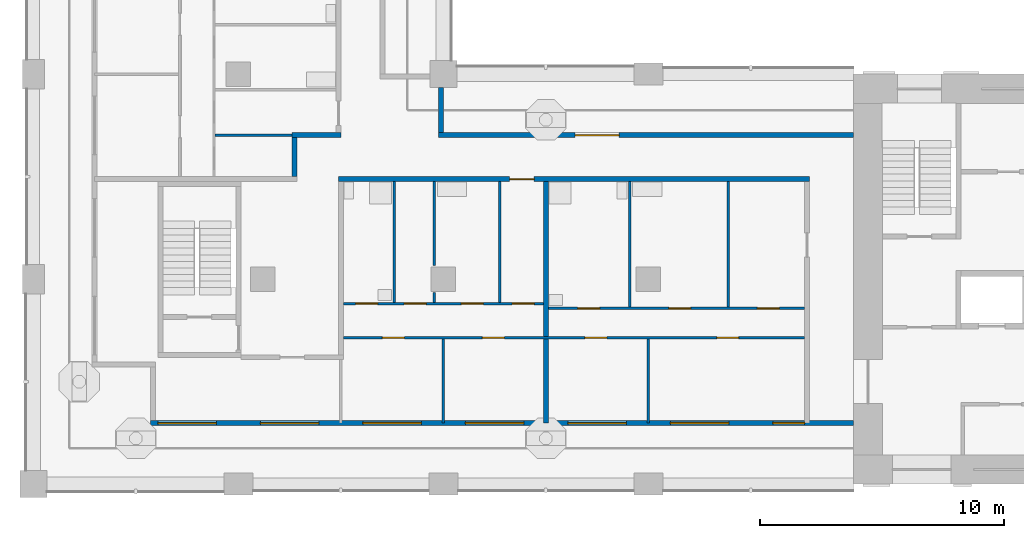
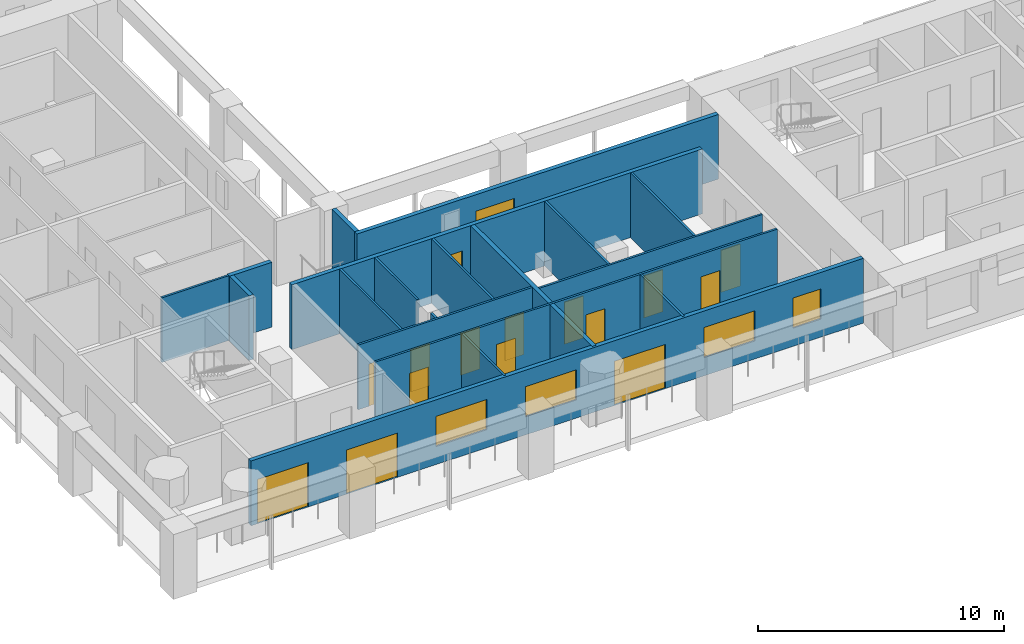
# One storey, part 2 of 13: 19 walls, 16 doors, 4 windows, 20 openings.
"""IFC4 building model written with IfcOpenShell, lengths in metres."""

from ifc_helpers import new_model, si_unit, direction, frame, frame_2d, origin, place, context, subcontext, project, spatial, rectangle, extrude, material, layer, layer_set, type_object, element, fill, save


model = new_model("IFC4")

# Units and contexts
model_context = context("Model", 3, precision=1e-05, world=origin(), true_north=direction((0.0, 1.0)))
body_context = subcontext(model_context, "Body", "Model", "MODEL_VIEW")
ifc_project = project(units=[si_unit("LENGTHUNIT", "METRE"), si_unit("AREAUNIT", "SQUARE_METRE"), si_unit("VOLUMEUNIT", "CUBIC_METRE"), si_unit("PLANEANGLEUNIT", "RADIAN"), si_unit("MASSUNIT", "GRAM", prefix="KILO")], contexts=[model_context])

# Site, building, storey
site_placement = place(None, origin())
site = spatial("IfcSite", under=ifc_project, at=site_placement, CompositionType="ELEMENT")
building_placement = place(site_placement, origin())
building = spatial("IfcBuilding", under=site, at=building_placement, Name="Vermilion Gate Residences", CompositionType="ELEMENT")
storey_placement = place(building_placement, frame((0.0, 0.0, 186.199951171875)))
storey = spatial("IfcBuildingStorey", under=building, at=storey_placement, Name="L48", CompositionType="ELEMENT", Elevation=186.199951171875)

# Wall, openings, doors, windows
ifc_material_1 = material(Name="Insulated steel stud wall with terracotta rainscreen", Category="masonry")
ifc_layer_1 = layer(ifc_material_1, 0.199951171875)
ifc_layer_set_1 = layer_set([ifc_layer_1], Name="EXTERNAL WALL 200 TERRACOTTA RAINSCREEN")
wall_type_1 = type_object("IfcWallType", Name="EXTERNAL WALL 200 TERRACOTTA RAINSCREEN", PredefinedType="SOLIDWALL", material=ifc_layer_set_1)
wall_1_placement = place(storey_placement, frame((13.199951171875, 10.89990234375, 0.0), z_axis=(0.0, 0.0, 1.0), x_axis=(1.0, 0.0, 0.0)))
wall_1 = element("IfcWall", 1, at=wall_1_placement, inside=storey, type_object=wall_type_1, Name="External wall", PredefinedType="SOLIDWALL", context=body_context, shape_type="SweptSolid", body=[
    extrude(rectangle(XDim=28.800048828125, YDim=0.199951171875, at=frame_2d((14.39990234375, 0.0))), origin(), (0.0, 0.0, 1.0), 3.219970703125),
])
opening_1_placement = place(wall_1_placement, frame((0.300048828125, 0.0, 0.0)))
opening_1 = element("IfcOpeningElement", 2, at=opening_1_placement, cuts=wall_1, Name="Opening DE48008", PredefinedType="OPENING", context=body_context, shape_type="SweptSolid", body=[
    extrude(rectangle(XDim=2.39990234375, YDim=2.199951171875, at=frame_2d((1.199951171875, 1.10009765625))), frame((0.0, 0.10986328125, 0.0), z_axis=(0.0, -1.0, 0.0), x_axis=(1.0, 0.0, 0.0)), (0.0, 0.0, 1.0), 0.219970703125),
])
opening_2_placement = place(wall_1_placement, frame((4.5, 0.0, 0.0)))
opening_2 = element("IfcOpeningElement", 3, at=opening_2_placement, cuts=wall_1, Name="Opening DE48009", PredefinedType="OPENING", context=body_context, shape_type="SweptSolid", body=[
    extrude(rectangle(XDim=2.39990234375, YDim=2.199951171875, at=frame_2d((1.199951171875, 1.10009765625))), frame((0.0, 0.10986328125, 0.0), z_axis=(0.0, -1.0, 0.0), x_axis=(1.0, 0.0, 0.0)), (0.0, 0.0, 1.0), 0.219970703125),
])
opening_3_placement = place(wall_1_placement, frame((8.699951171875, 0.0, 0.89990234375)))
opening_3 = element("IfcOpeningElement", 4, at=opening_3_placement, cuts=wall_1, Name="Opening WE48010", PredefinedType="OPENING", context=body_context, shape_type="SweptSolid", body=[
    extrude(rectangle(XDim=2.39990234375, YDim=1.5, at=frame_2d((1.199951171875, 0.75))), frame((0.0, 0.10986328125, 0.0), z_axis=(0.0, -1.0, 0.0), x_axis=(1.0, 0.0, 0.0)), (0.0, 0.0, 1.0), 0.219970703125),
])
opening_4_placement = place(wall_1_placement, frame((12.89990234375, 0.0, 0.89990234375)))
opening_4 = element("IfcOpeningElement", 5, at=opening_4_placement, cuts=wall_1, Name="Opening WE48011", PredefinedType="OPENING", context=body_context, shape_type="SweptSolid", body=[
    extrude(rectangle(XDim=2.39990234375, YDim=1.5, at=frame_2d((1.199951171875, 0.75))), frame((0.0, 0.10986328125, 0.0), z_axis=(0.0, -1.0, 0.0), x_axis=(1.0, 0.0, 0.0)), (0.0, 0.0, 1.0), 0.219970703125),
])
opening_5_placement = place(wall_1_placement, frame((17.10009765625, 0.0, 0.0)))
opening_5 = element("IfcOpeningElement", 6, at=opening_5_placement, cuts=wall_1, Name="Opening DE48012", PredefinedType="OPENING", context=body_context, shape_type="SweptSolid", body=[
    extrude(rectangle(XDim=2.39990234375, YDim=2.199951171875, at=frame_2d((1.199951171875, 1.10009765625))), frame((0.0, 0.10986328125, 0.0), z_axis=(0.0, -1.0, 0.0), x_axis=(1.0, 0.0, 0.0)), (0.0, 0.0, 1.0), 0.219970703125),
])
opening_6_placement = place(wall_1_placement, frame((21.300048828125, 0.0, 0.89990234375)))
opening_6 = element("IfcOpeningElement", 7, at=opening_6_placement, cuts=wall_1, Name="Opening WE48013", PredefinedType="OPENING", context=body_context, shape_type="SweptSolid", body=[
    extrude(rectangle(XDim=2.39990234375, YDim=1.5, at=frame_2d((1.199951171875, 0.75))), frame((0.0, 0.10986328125, 0.0), z_axis=(0.0, -1.0, 0.0), x_axis=(1.0, 0.0, 0.0)), (0.0, 0.0, 1.0), 0.219970703125),
])
opening_7_placement = place(wall_1_placement, frame((25.5, 0.0, 0.89990234375)))
opening_7 = element("IfcOpeningElement", 8, at=opening_7_placement, cuts=wall_1, Name="Opening WE48014", PredefinedType="OPENING", context=body_context, shape_type="SweptSolid", body=[
    extrude(rectangle(XDim=1.300048828125, YDim=1.5, at=frame_2d((0.64990234375, 0.75))), frame((0.0, 0.10986328125, 0.0), z_axis=(0.0, -1.0, 0.0), x_axis=(1.0, 0.0, 0.0)), (0.0, 0.0, 1.0), 0.219970703125),
])
ifc_material_2 = material(Name="Aluminium and clear glass", Category="aluminium")
door_type_1 = type_object("IfcDoorType", Name="SLIDING GLAZED DOOR 2400 X 2200", OperationType="DOUBLE_DOOR_SLIDING", PredefinedType="DOOR", material=ifc_material_2)
door_1_placement = place(opening_1_placement, origin())
door_1 = element("IfcDoor", 9, at=door_1_placement, inside=storey, type_object=door_type_1, Name="Loggia sliding door", OperationType="DOUBLE_DOOR_SLIDING", OverallHeight=2.199951171875, OverallWidth=2.39990234375, PredefinedType="DOOR", context=body_context, shape_type="SweptSolid", body=[
    extrude(rectangle(XDim=2.39990234375, YDim=2.199951171875, at=frame_2d((1.199951171875, 1.10009765625))), frame((0.0, 0.02490234375, 0.0), z_axis=(0.0, -1.0, 0.0), x_axis=(1.0, 0.0, 0.0)), (0.0, 0.0, 1.0), 0.050048828125),
])
fill(opening_1, door_1)
door_2_placement = place(opening_2_placement, origin())
door_2 = element("IfcDoor", 10, at=door_2_placement, inside=storey, type_object=door_type_1, Name="Loggia sliding door", OperationType="DOUBLE_DOOR_SLIDING", OverallHeight=2.199951171875, OverallWidth=2.39990234375, PredefinedType="DOOR", context=body_context, shape_type="SweptSolid", body=[
    extrude(rectangle(XDim=2.39990234375, YDim=2.199951171875, at=frame_2d((1.199951171875, 1.10009765625))), frame((0.0, 0.02490234375, 0.0), z_axis=(0.0, -1.0, 0.0), x_axis=(1.0, 0.0, 0.0)), (0.0, 0.0, 1.0), 0.050048828125),
])
fill(opening_2, door_2)
door_3_placement = place(opening_5_placement, origin())
door_3 = element("IfcDoor", 11, at=door_3_placement, inside=storey, type_object=door_type_1, Name="Loggia sliding door", OperationType="DOUBLE_DOOR_SLIDING", OverallHeight=2.199951171875, OverallWidth=2.39990234375, PredefinedType="DOOR", context=body_context, shape_type="SweptSolid", body=[
    extrude(rectangle(XDim=2.39990234375, YDim=2.199951171875, at=frame_2d((1.199951171875, 1.10009765625))), frame((0.0, 0.02490234375, 0.0), z_axis=(0.0, -1.0, 0.0), x_axis=(1.0, 0.0, 0.0)), (0.0, 0.0, 1.0), 0.050048828125),
])
fill(opening_5, door_3)
ifc_material_3 = material(Name="Aluminium and clear glass", Category="aluminium")
window_type_1 = type_object("IfcWindowType", Name="WINDOW 1300 X 1500", PartitioningType="SINGLE_PANEL", PredefinedType="WINDOW", material=ifc_material_3)
window_1_placement = place(opening_7_placement, origin())
window_1 = element("IfcWindow", 12, at=window_1_placement, inside=storey, type_object=window_type_1, Name="Window", OverallHeight=1.5, OverallWidth=1.300048828125, PartitioningType="SINGLE_PANEL", PredefinedType="WINDOW", context=body_context, shape_type="SweptSolid", body=[
    extrude(rectangle(XDim=1.300048828125, YDim=1.5, at=frame_2d((0.64990234375, 0.75))), frame((0.0, 0.030029296875, 0.0), z_axis=(0.0, -1.0, 0.0), x_axis=(1.0, 0.0, 0.0)), (0.0, 0.0, 1.0), 0.06005859375),
])
fill(opening_7, window_1)
ifc_material_4 = material(Name="Aluminium and clear glass", Category="aluminium")
window_type_2 = type_object("IfcWindowType", Name="WINDOW 2400 X 1500", PartitioningType="SINGLE_PANEL", PredefinedType="WINDOW", material=ifc_material_4)
window_2_placement = place(opening_3_placement, origin())
window_2 = element("IfcWindow", 13, at=window_2_placement, inside=storey, type_object=window_type_2, Name="Window", OverallHeight=1.5, OverallWidth=2.39990234375, PartitioningType="SINGLE_PANEL", PredefinedType="WINDOW", context=body_context, shape_type="SweptSolid", body=[
    extrude(rectangle(XDim=2.39990234375, YDim=1.5, at=frame_2d((1.199951171875, 0.75))), frame((0.0, 0.030029296875, 0.0), z_axis=(0.0, -1.0, 0.0), x_axis=(1.0, 0.0, 0.0)), (0.0, 0.0, 1.0), 0.06005859375),
])
fill(opening_3, window_2)
window_3_placement = place(opening_4_placement, origin())
window_3 = element("IfcWindow", 14, at=window_3_placement, inside=storey, type_object=window_type_2, Name="Window", OverallHeight=1.5, OverallWidth=2.39990234375, PartitioningType="SINGLE_PANEL", PredefinedType="WINDOW", context=body_context, shape_type="SweptSolid", body=[
    extrude(rectangle(XDim=2.39990234375, YDim=1.5, at=frame_2d((1.199951171875, 0.75))), frame((0.0, 0.030029296875, 0.0), z_axis=(0.0, -1.0, 0.0), x_axis=(1.0, 0.0, 0.0)), (0.0, 0.0, 1.0), 0.06005859375),
])
fill(opening_4, window_3)
window_4_placement = place(opening_6_placement, origin())
window_4 = element("IfcWindow", 15, at=window_4_placement, inside=storey, type_object=window_type_2, Name="Window", OverallHeight=1.5, OverallWidth=2.39990234375, PartitioningType="SINGLE_PANEL", PredefinedType="WINDOW", context=body_context, shape_type="SweptSolid", body=[
    extrude(rectangle(XDim=2.39990234375, YDim=1.5, at=frame_2d((1.199951171875, 0.75))), frame((0.0, 0.030029296875, 0.0), z_axis=(0.0, -1.0, 0.0), x_axis=(1.0, 0.0, 0.0)), (0.0, 0.0, 1.0), 0.06005859375),
])
fill(opening_6, window_4)

# Wall, opening, door
wall_2_placement = place(storey_placement, frame((42.0, 22.699951171875, 0.0), z_axis=(0.0, 0.0, 1.0), x_axis=(-1.0, 0.0, 0.0)))
wall_2 = element("IfcWall", 16, at=wall_2_placement, inside=storey, type_object=wall_type_1, Name="External wall", PredefinedType="SOLIDWALL", context=body_context, shape_type="SweptSolid", body=[
    extrude(rectangle(XDim=17.0, YDim=0.199951171875, at=frame_2d((8.5, 0.0))), origin(), (0.0, 0.0, 1.0), 3.219970703125),
])
opening_8_placement = place(wall_2_placement, frame((9.60009765625, 0.0, 0.0)))
opening_8 = element("IfcOpeningElement", 17, at=opening_8_placement, cuts=wall_2, Name="Opening DE48020", PredefinedType="OPENING", context=body_context, shape_type="SweptSolid", body=[
    extrude(rectangle(XDim=1.800048828125, YDim=2.39990234375, at=frame_2d((0.89990234375, 1.199951171875))), frame((0.0, 0.10986328125, 0.0), z_axis=(0.0, -1.0, 0.0), x_axis=(1.0, 0.0, 0.0)), (0.0, 0.0, 1.0), 0.219970703125),
])
ifc_material_5 = material(Name="Aluminium and clear glass", Category="aluminium")
door_type_2 = type_object("IfcDoorType", Name="GLAZED EXTERNAL DOOR 1800 X 2400", OperationType="DOUBLE_DOOR_SINGLE_SWING", PredefinedType="DOOR", material=ifc_material_5)
door_4_placement = place(opening_8_placement, frame((1.800048828125, 0.0, 0.0), z_axis=(0.0, 0.0, 1.0), x_axis=(-1.0, 0.0, 0.0)))
door_4 = element("IfcDoor", 18, at=door_4_placement, inside=storey, type_object=door_type_2, Name="Gallery door", OperationType="DOUBLE_DOOR_SINGLE_SWING", OverallHeight=2.39990234375, OverallWidth=1.800048828125, PredefinedType="DOOR", context=body_context, shape_type="SweptSolid", body=[
    extrude(rectangle(XDim=1.800048828125, YDim=2.39990234375, at=frame_2d((0.89990234375, 1.199951171875))), frame((0.0, 0.02490234375, 0.0), z_axis=(0.0, -1.0, 0.0), x_axis=(1.0, 0.0, 0.0)), (0.0, 0.0, 1.0), 0.050048828125),
])
fill(opening_8, door_4)

# Wall
wall_3_placement = place(storey_placement, frame((25.10009765625, 22.800048828125, 0.0), z_axis=(0.0, 0.0, 1.0), x_axis=(0.0, 1.0, 0.0)))
element("IfcWall", 19, at=wall_3_placement, inside=storey, type_object=wall_type_1, Name="External wall", PredefinedType="SOLIDWALL", context=body_context, shape_type="SweptSolid", body=[
    extrude(rectangle(XDim=1.849853515625, YDim=0.199951171875, at=frame_2d((0.9248046875, 0.0))), origin(), (0.0, 0.0, 1.0), 3.219970703125),
])

# Wall, openings, doors
ifc_material_6 = material(Name="Plasterboard on steel studs", Category="steel")
ifc_layer_2 = layer(ifc_material_6, 0.10009765625)
ifc_layer_set_2 = layer_set([ifc_layer_2], Name="PARTITION 100")
wall_type_2 = type_object("IfcWallType", Name="PARTITION 100", PredefinedType="PARTITIONING", material=ifc_layer_set_2)
wall_4_placement = place(storey_placement, frame((21.10009765625, 14.39990234375, 0.0), z_axis=(0.0, 0.0, 1.0), x_axis=(1.0, 0.0, 0.0)))
wall_4 = element("IfcWall", 20, at=wall_4_placement, inside=storey, type_object=wall_type_2, Name="Partition", PredefinedType="PARTITIONING", context=body_context, shape_type="SweptSolid", body=[
    extrude(rectangle(XDim=18.89990234375, YDim=0.10009765625, at=frame_2d((9.449951171875, 0.0))), origin(), (0.0, 0.0, 1.0), 3.219970703125),
])
opening_9_placement = place(wall_4_placement, frame((1.60009765625, 0.0, 0.0)))
opening_9 = element("IfcOpeningElement", 21, at=opening_9_placement, cuts=wall_4, Name="Opening DA46002", PredefinedType="OPENING", context=body_context, shape_type="SweptSolid", body=[
    extrude(rectangle(XDim=0.89990234375, YDim=2.10009765625, at=frame_2d((0.449951171875, 1.050048828125))), frame((0.0, 0.06005859375, 0.0), z_axis=(0.0, -1.0, 0.0), x_axis=(1.0, 0.0, 0.0)), (0.0, 0.0, 1.0), 0.1201171875),
])
opening_10_placement = place(wall_4_placement, frame((5.699951171875, 0.0, 0.0)))
opening_10 = element("IfcOpeningElement", 22, at=opening_10_placement, cuts=wall_4, Name="Opening DA46003", PredefinedType="OPENING", context=body_context, shape_type="SweptSolid", body=[
    extrude(rectangle(XDim=0.89990234375, YDim=2.10009765625, at=frame_2d((0.449951171875, 1.050048828125))), frame((0.0, 0.06005859375, 0.0), z_axis=(0.0, -1.0, 0.0), x_axis=(1.0, 0.0, 0.0)), (0.0, 0.0, 1.0), 0.1201171875),
])
opening_11_placement = place(wall_4_placement, frame((9.89990234375, 0.0, 0.0)))
opening_11 = element("IfcOpeningElement", 23, at=opening_11_placement, cuts=wall_4, Name="Opening DA46004", PredefinedType="OPENING", context=body_context, shape_type="SweptSolid", body=[
    extrude(rectangle(XDim=0.89990234375, YDim=2.10009765625, at=frame_2d((0.449951171875, 1.050048828125))), frame((0.0, 0.06005859375, 0.0), z_axis=(0.0, -1.0, 0.0), x_axis=(1.0, 0.0, 0.0)), (0.0, 0.0, 1.0), 0.1201171875),
])
opening_12_placement = place(wall_4_placement, frame((15.300048828125, 0.0, 0.0)))
opening_12 = element("IfcOpeningElement", 24, at=opening_12_placement, cuts=wall_4, Name="Opening DA46005", PredefinedType="OPENING", context=body_context, shape_type="SweptSolid", body=[
    extrude(rectangle(XDim=0.89990234375, YDim=2.10009765625, at=frame_2d((0.449951171875, 1.050048828125))), frame((0.0, 0.06005859375, 0.0), z_axis=(0.0, -1.0, 0.0), x_axis=(1.0, 0.0, 0.0)), (0.0, 0.0, 1.0), 0.1201171875),
])
ifc_material_7 = material(Name="Timber", Category="wood")
door_type_3 = type_object("IfcDoorType", Name="INTERIOR DOOR 900 X 2100", OperationType="SINGLE_SWING_LEFT", PredefinedType="DOOR", material=ifc_material_7)
door_5_placement = place(opening_9_placement, frame((0.89990234375, 0.0, 0.0), z_axis=(0.0, 0.0, 1.0), x_axis=(-1.0, 0.0, 0.0)))
door_5 = element("IfcDoor", 25, at=door_5_placement, inside=storey, type_object=door_type_3, Name="Interior door", OperationType="SINGLE_SWING_LEFT", OverallHeight=2.10009765625, OverallWidth=0.89990234375, PredefinedType="DOOR", context=body_context, shape_type="SweptSolid", body=[
    extrude(rectangle(XDim=0.89990234375, YDim=2.10009765625, at=frame_2d((0.449951171875, 1.050048828125))), frame((0.0, 0.02490234375, 0.0), z_axis=(0.0, -1.0, 0.0), x_axis=(1.0, 0.0, 0.0)), (0.0, 0.0, 1.0), 0.050048828125),
])
fill(opening_9, door_5)
door_6_placement = place(opening_10_placement, frame((0.89990234375, 0.0, 0.0), z_axis=(0.0, 0.0, 1.0), x_axis=(-1.0, 0.0, 0.0)))
door_6 = element("IfcDoor", 26, at=door_6_placement, inside=storey, type_object=door_type_3, Name="Interior door", OperationType="SINGLE_SWING_RIGHT", OverallHeight=2.10009765625, OverallWidth=0.89990234375, PredefinedType="DOOR", context=body_context, shape_type="SweptSolid", body=[
    extrude(rectangle(XDim=0.89990234375, YDim=2.10009765625, at=frame_2d((0.449951171875, 1.050048828125))), frame((0.0, 0.02490234375, 0.0), z_axis=(0.0, -1.0, 0.0), x_axis=(1.0, 0.0, 0.0)), (0.0, 0.0, 1.0), 0.050048828125),
])
fill(opening_10, door_6)
door_7_placement = place(opening_11_placement, frame((0.89990234375, 0.0, 0.0), z_axis=(0.0, 0.0, 1.0), x_axis=(-1.0, 0.0, 0.0)))
door_7 = element("IfcDoor", 27, at=door_7_placement, inside=storey, type_object=door_type_3, Name="Interior door", OperationType="SINGLE_SWING_RIGHT", OverallHeight=2.10009765625, OverallWidth=0.89990234375, PredefinedType="DOOR", context=body_context, shape_type="SweptSolid", body=[
    extrude(rectangle(XDim=0.89990234375, YDim=2.10009765625, at=frame_2d((0.449951171875, 1.050048828125))), frame((0.0, 0.02490234375, 0.0), z_axis=(0.0, -1.0, 0.0), x_axis=(1.0, 0.0, 0.0)), (0.0, 0.0, 1.0), 0.050048828125),
])
fill(opening_11, door_7)
door_8_placement = place(opening_12_placement, frame((0.89990234375, 0.0, 0.0), z_axis=(0.0, 0.0, 1.0), x_axis=(-1.0, 0.0, 0.0)))
door_8 = element("IfcDoor", 28, at=door_8_placement, inside=storey, type_object=door_type_3, Name="Interior door", OperationType="SINGLE_SWING_LEFT", OverallHeight=2.10009765625, OverallWidth=0.89990234375, PredefinedType="DOOR", context=body_context, shape_type="SweptSolid", body=[
    extrude(rectangle(XDim=0.89990234375, YDim=2.10009765625, at=frame_2d((0.449951171875, 1.050048828125))), frame((0.0, 0.02490234375, 0.0), z_axis=(0.0, -1.0, 0.0), x_axis=(1.0, 0.0, 0.0)), (0.0, 0.0, 1.0), 0.050048828125),
])
fill(opening_12, door_8)

wall_5_placement = place(storey_placement, frame((29.5, 15.60009765625, 0.0), z_axis=(0.0, 0.0, 1.0), x_axis=(1.0, 0.0, 0.0)))
wall_5 = element("IfcWall", 29, at=wall_5_placement, inside=storey, type_object=wall_type_2, Name="Partition", PredefinedType="PARTITIONING", context=body_context, shape_type="SweptSolid", body=[
    extrude(rectangle(XDim=10.5, YDim=0.10009765625, at=frame_2d((5.25, 0.0))), origin(), (0.0, 0.0, 1.0), 3.219970703125),
])
opening_13_placement = place(wall_5_placement, frame((8.56689453125, 0.0, 0.0)))
opening_13 = element("IfcOpeningElement", 30, at=opening_13_placement, cuts=wall_5, Name="Opening DA46006", PredefinedType="OPENING", context=body_context, shape_type="SweptSolid", body=[
    extrude(rectangle(XDim=0.89990234375, YDim=2.10009765625, at=frame_2d((0.449951171875, 1.050048828125))), frame((0.0, 0.06005859375, 0.0), z_axis=(0.0, -1.0, 0.0), x_axis=(1.0, 0.0, 0.0)), (0.0, 0.0, 1.0), 0.1201171875),
])
opening_14_placement = place(wall_5_placement, frame((1.199951171875, 0.0, 0.0)))
opening_14 = element("IfcOpeningElement", 31, at=opening_14_placement, cuts=wall_5, Name="Opening DA46007", PredefinedType="OPENING", context=body_context, shape_type="SweptSolid", body=[
    extrude(rectangle(XDim=0.89990234375, YDim=2.10009765625, at=frame_2d((0.449951171875, 1.050048828125))), frame((0.0, 0.06005859375, 0.0), z_axis=(0.0, -1.0, 0.0), x_axis=(1.0, 0.0, 0.0)), (0.0, 0.0, 1.0), 0.1201171875),
])
opening_15_placement = place(wall_5_placement, frame((4.93310546875, 0.0, 0.0)))
opening_15 = element("IfcOpeningElement", 32, at=opening_15_placement, cuts=wall_5, Name="Opening DA46008", PredefinedType="OPENING", context=body_context, shape_type="SweptSolid", body=[
    extrude(rectangle(XDim=0.89990234375, YDim=2.10009765625, at=frame_2d((0.449951171875, 1.050048828125))), frame((0.0, 0.06005859375, 0.0), z_axis=(0.0, -1.0, 0.0), x_axis=(1.0, 0.0, 0.0)), (0.0, 0.0, 1.0), 0.1201171875),
])
door_9_placement = place(opening_13_placement, frame((0.89990234375, 0.0, 0.0), z_axis=(0.0, 0.0, 1.0), x_axis=(-1.0, 0.0, 0.0)))
door_9 = element("IfcDoor", 33, at=door_9_placement, inside=storey, type_object=door_type_3, Name="Interior door", OperationType="SINGLE_SWING_LEFT", OverallHeight=2.10009765625, OverallWidth=0.89990234375, PredefinedType="DOOR", context=body_context, shape_type="SweptSolid", body=[
    extrude(rectangle(XDim=0.89990234375, YDim=2.10009765625, at=frame_2d((0.449951171875, 1.050048828125))), frame((0.0, 0.02490234375, 0.0), z_axis=(0.0, -1.0, 0.0), x_axis=(1.0, 0.0, 0.0)), (0.0, 0.0, 1.0), 0.050048828125),
])
fill(opening_13, door_9)
door_10_placement = place(opening_14_placement, origin())
door_10 = element("IfcDoor", 34, at=door_10_placement, inside=storey, type_object=door_type_3, Name="Interior door", OperationType="SINGLE_SWING_LEFT", OverallHeight=2.10009765625, OverallWidth=0.89990234375, PredefinedType="DOOR", context=body_context, shape_type="SweptSolid", body=[
    extrude(rectangle(XDim=0.89990234375, YDim=2.10009765625, at=frame_2d((0.449951171875, 1.050048828125))), frame((0.0, 0.02490234375, 0.0), z_axis=(0.0, -1.0, 0.0), x_axis=(1.0, 0.0, 0.0)), (0.0, 0.0, 1.0), 0.050048828125),
])
fill(opening_14, door_10)
door_11_placement = place(opening_15_placement, origin())
door_11 = element("IfcDoor", 35, at=door_11_placement, inside=storey, type_object=door_type_3, Name="Interior door", OperationType="SINGLE_SWING_RIGHT", OverallHeight=2.10009765625, OverallWidth=0.89990234375, PredefinedType="DOOR", context=body_context, shape_type="SweptSolid", body=[
    extrude(rectangle(XDim=0.89990234375, YDim=2.10009765625, at=frame_2d((0.449951171875, 1.050048828125))), frame((0.0, 0.02490234375, 0.0), z_axis=(0.0, -1.0, 0.0), x_axis=(1.0, 0.0, 0.0)), (0.0, 0.0, 1.0), 0.050048828125),
])
fill(opening_15, door_11)

wall_6_placement = place(storey_placement, frame((21.10009765625, 15.800048828125, 0.0), z_axis=(0.0, 0.0, 1.0), x_axis=(1.0, 0.0, 0.0)))
wall_6 = element("IfcWall", 36, at=wall_6_placement, inside=storey, type_object=wall_type_2, Name="Partition", PredefinedType="PARTITIONING", context=body_context, shape_type="SweptSolid", body=[
    extrude(rectangle(XDim=8.199951171875, YDim=0.10009765625, at=frame_2d((4.10009765625, 0.0))), origin(), (0.0, 0.0, 1.0), 3.219970703125),
])
opening_16_placement = place(wall_6_placement, frame((6.916015625, 0.0, 0.0)))
opening_16 = element("IfcOpeningElement", 37, at=opening_16_placement, cuts=wall_6, Name="Opening DA46009", PredefinedType="OPENING", context=body_context, shape_type="SweptSolid", body=[
    extrude(rectangle(XDim=0.89990234375, YDim=2.10009765625, at=frame_2d((0.449951171875, 1.050048828125))), frame((0.0, 0.06005859375, 0.0), z_axis=(0.0, -1.0, 0.0), x_axis=(1.0, 0.0, 0.0)), (0.0, 0.0, 1.0), 0.1201171875),
])
opening_17_placement = place(wall_6_placement, frame((0.5, 0.0, 0.0)))
opening_17 = element("IfcOpeningElement", 38, at=opening_17_placement, cuts=wall_6, Name="Opening DA46010", PredefinedType="OPENING", context=body_context, shape_type="SweptSolid", body=[
    extrude(rectangle(XDim=0.89990234375, YDim=2.10009765625, at=frame_2d((0.449951171875, 1.050048828125))), frame((0.0, 0.06005859375, 0.0), z_axis=(0.0, -1.0, 0.0), x_axis=(1.0, 0.0, 0.0)), (0.0, 0.0, 1.0), 0.1201171875),
])
opening_18_placement = place(wall_6_placement, frame((2.489990234375, 0.0, 0.0)))
opening_18 = element("IfcOpeningElement", 39, at=opening_18_placement, cuts=wall_6, Name="Opening DA46011", PredefinedType="OPENING", context=body_context, shape_type="SweptSolid", body=[
    extrude(rectangle(XDim=0.89990234375, YDim=2.10009765625, at=frame_2d((0.449951171875, 1.050048828125))), frame((0.0, 0.06005859375, 0.0), z_axis=(0.0, -1.0, 0.0), x_axis=(1.0, 0.0, 0.0)), (0.0, 0.0, 1.0), 0.1201171875),
])
opening_19_placement = place(wall_6_placement, frame((4.83203125, 0.0, 0.0)))
opening_19 = element("IfcOpeningElement", 40, at=opening_19_placement, cuts=wall_6, Name="Opening DA46012", PredefinedType="OPENING", context=body_context, shape_type="SweptSolid", body=[
    extrude(rectangle(XDim=0.89990234375, YDim=2.10009765625, at=frame_2d((0.449951171875, 1.050048828125))), frame((0.0, 0.06005859375, 0.0), z_axis=(0.0, -1.0, 0.0), x_axis=(1.0, 0.0, 0.0)), (0.0, 0.0, 1.0), 0.1201171875),
])
door_12_placement = place(opening_16_placement, origin())
door_12 = element("IfcDoor", 41, at=door_12_placement, inside=storey, type_object=door_type_3, Name="Interior door", OperationType="SINGLE_SWING_RIGHT", OverallHeight=2.10009765625, OverallWidth=0.89990234375, PredefinedType="DOOR", context=body_context, shape_type="SweptSolid", body=[
    extrude(rectangle(XDim=0.89990234375, YDim=2.10009765625, at=frame_2d((0.449951171875, 1.050048828125))), frame((0.0, 0.02490234375, 0.0), z_axis=(0.0, -1.0, 0.0), x_axis=(1.0, 0.0, 0.0)), (0.0, 0.0, 1.0), 0.050048828125),
])
fill(opening_16, door_12)
door_13_placement = place(opening_17_placement, origin())
door_13 = element("IfcDoor", 42, at=door_13_placement, inside=storey, type_object=door_type_3, Name="Interior door", OperationType="SINGLE_SWING_RIGHT", OverallHeight=2.10009765625, OverallWidth=0.89990234375, PredefinedType="DOOR", context=body_context, shape_type="SweptSolid", body=[
    extrude(rectangle(XDim=0.89990234375, YDim=2.10009765625, at=frame_2d((0.449951171875, 1.050048828125))), frame((0.0, 0.02490234375, 0.0), z_axis=(0.0, -1.0, 0.0), x_axis=(1.0, 0.0, 0.0)), (0.0, 0.0, 1.0), 0.050048828125),
])
fill(opening_17, door_13)
door_14_placement = place(opening_18_placement, origin())
door_14 = element("IfcDoor", 43, at=door_14_placement, inside=storey, type_object=door_type_3, Name="Interior door", OperationType="SINGLE_SWING_RIGHT", OverallHeight=2.10009765625, OverallWidth=0.89990234375, PredefinedType="DOOR", context=body_context, shape_type="SweptSolid", body=[
    extrude(rectangle(XDim=0.89990234375, YDim=2.10009765625, at=frame_2d((0.449951171875, 1.050048828125))), frame((0.0, 0.02490234375, 0.0), z_axis=(0.0, -1.0, 0.0), x_axis=(1.0, 0.0, 0.0)), (0.0, 0.0, 1.0), 0.050048828125),
])
fill(opening_18, door_14)
door_15_placement = place(opening_19_placement, origin())
door_15 = element("IfcDoor", 44, at=door_15_placement, inside=storey, type_object=door_type_3, Name="Interior door", OperationType="SINGLE_SWING_RIGHT", OverallHeight=2.10009765625, OverallWidth=0.89990234375, PredefinedType="DOOR", context=body_context, shape_type="SweptSolid", body=[
    extrude(rectangle(XDim=0.89990234375, YDim=2.10009765625, at=frame_2d((0.449951171875, 1.050048828125))), frame((0.0, 0.02490234375, 0.0), z_axis=(0.0, -1.0, 0.0), x_axis=(1.0, 0.0, 0.0)), (0.0, 0.0, 1.0), 0.050048828125),
])
fill(opening_19, door_15)

# Walls
wall_7_placement = place(storey_placement, frame((15.85009765625, 22.699951171875, 0.0), z_axis=(0.0, 0.0, 1.0), x_axis=(1.0, 0.0, 0.0)))
element("IfcWall", 45, at=wall_7_placement, inside=storey, type_object=wall_type_2, Name="Partition", PredefinedType="PARTITIONING", context=body_context, shape_type="SweptSolid", body=[
    extrude(rectangle(XDim=3.14990234375, YDim=0.10009765625, at=frame_2d((1.574951171875, 0.0))), origin(), (0.0, 0.0, 1.0), 3.219970703125),
])
wall_8_placement = place(storey_placement, frame((23.18994140625, 15.85009765625, 0.0), z_axis=(0.0, 0.0, 1.0), x_axis=(0.0, 1.0, 0.0)))
element("IfcWall", 46, at=wall_8_placement, inside=storey, type_object=wall_type_2, Name="Partition", PredefinedType="PARTITIONING", context=body_context, shape_type="SweptSolid", body=[
    extrude(rectangle(XDim=4.949951171875, YDim=0.10009765625, at=frame_2d((2.47509765625, 0.0))), origin(), (0.0, 0.0, 1.0), 3.219970703125),
])
wall_9_placement = place(storey_placement, frame((24.83203125, 15.85009765625, 0.0), z_axis=(0.0, 0.0, 1.0), x_axis=(0.0, 1.0, 0.0)))
element("IfcWall", 47, at=wall_9_placement, inside=storey, type_object=wall_type_2, Name="Partition", PredefinedType="PARTITIONING", context=body_context, shape_type="SweptSolid", body=[
    extrude(rectangle(XDim=0.39990234375, YDim=0.10009765625, at=frame_2d((0.199951171875, 0.0))), origin(), (0.0, 0.0, 1.0), 3.219970703125),
])
wall_10_placement = place(storey_placement, frame((24.83203125, 17.35009765625, 0.0), z_axis=(0.0, 0.0, 1.0), x_axis=(0.0, 1.0, 0.0)))
element("IfcWall", 48, at=wall_10_placement, inside=storey, type_object=wall_type_2, Name="Partition", PredefinedType="PARTITIONING", context=body_context, shape_type="SweptSolid", body=[
    extrude(rectangle(XDim=3.449951171875, YDim=0.10009765625, at=frame_2d((1.72509765625, 0.0))), origin(), (0.0, 0.0, 1.0), 3.219970703125),
])
wall_11_placement = place(storey_placement, frame((25.199951171875, 10.89990234375, 0.0), z_axis=(0.0, 0.0, 1.0), x_axis=(0.0, 1.0, 0.0)))
element("IfcWall", 49, at=wall_11_placement, inside=storey, type_object=wall_type_2, Name="Partition", PredefinedType="PARTITIONING", context=body_context, shape_type="SweptSolid", body=[
    extrude(rectangle(XDim=3.4501953125, YDim=0.10009765625, at=frame_2d((1.72509765625, 0.0))), origin(), (0.0, 0.0, 1.0), 3.219970703125),
])
wall_12_placement = place(storey_placement, frame((27.51611328125, 15.85009765625, 0.0), z_axis=(0.0, 0.0, 1.0), x_axis=(0.0, 1.0, 0.0)))
element("IfcWall", 50, at=wall_12_placement, inside=storey, type_object=wall_type_2, Name="Partition", PredefinedType="PARTITIONING", context=body_context, shape_type="SweptSolid", body=[
    extrude(rectangle(XDim=4.949951171875, YDim=0.10009765625, at=frame_2d((2.47509765625, 0.0))), origin(), (0.0, 0.0, 1.0), 3.219970703125),
])
wall_13_placement = place(storey_placement, frame((32.8330078125, 15.64990234375, 0.0), z_axis=(0.0, 0.0, 1.0), x_axis=(0.0, 1.0, 0.0)))
element("IfcWall", 51, at=wall_13_placement, inside=storey, type_object=wall_type_2, Name="Partition", PredefinedType="PARTITIONING", context=body_context, shape_type="SweptSolid", body=[
    extrude(rectangle(XDim=5.150146484375, YDim=0.10009765625, at=frame_2d((2.5751953125, 0.0))), origin(), (0.0, 0.0, 1.0), 3.219970703125),
])
wall_14_placement = place(storey_placement, frame((33.60009765625, 10.89990234375, 0.0), z_axis=(0.0, 0.0, 1.0), x_axis=(0.0, 1.0, 0.0)))
element("IfcWall", 52, at=wall_14_placement, inside=storey, type_object=wall_type_2, Name="Partition", PredefinedType="PARTITIONING", context=body_context, shape_type="SweptSolid", body=[
    extrude(rectangle(XDim=3.4501953125, YDim=0.10009765625, at=frame_2d((1.72509765625, 0.0))), origin(), (0.0, 0.0, 1.0), 3.219970703125),
])
wall_15_placement = place(storey_placement, frame((36.866943359375, 15.64990234375, 0.0), z_axis=(0.0, 0.0, 1.0), x_axis=(0.0, 1.0, 0.0)))
element("IfcWall", 53, at=wall_15_placement, inside=storey, type_object=wall_type_2, Name="Partition", PredefinedType="PARTITIONING", context=body_context, shape_type="SweptSolid", body=[
    extrude(rectangle(XDim=5.150146484375, YDim=0.10009765625, at=frame_2d((2.5751953125, 0.0))), origin(), (0.0, 0.0, 1.0), 3.219970703125),
])

# Wall, opening, door
ifc_material_8 = material(Name="Fire-rated plasterboard on steel studs", Category="steel")
ifc_layer_3 = layer(ifc_material_8, 0.199951171875)
ifc_layer_set_3 = layer_set([ifc_layer_3], Name="PARTY WALL 200 EI 120")
wall_type_3 = type_object("IfcWallType", Name="PARTY WALL 200 EI 120", PredefinedType="PARTITIONING", material=ifc_layer_set_3)
wall_16_placement = place(storey_placement, frame((20.89990234375, 20.89990234375, 0.0), z_axis=(0.0, 0.0, 1.0), x_axis=(1.0, 0.0, 0.0)))
wall_16 = element("IfcWall", 54, at=wall_16_placement, inside=storey, type_object=wall_type_3, Name="Party and corridor wall", PredefinedType="PARTITIONING", context=body_context, shape_type="SweptSolid", body=[
    extrude(rectangle(XDim=19.300048828125, YDim=0.199951171875, at=frame_2d((9.64990234375, 0.0))), origin(), (0.0, 0.0, 1.0), 3.219970703125),
])
opening_20_placement = place(wall_16_placement, frame((7.01611328125, 0.0, 0.0)))
opening_20 = element("IfcOpeningElement", 55, at=opening_20_placement, cuts=wall_16, Name="Opening DA46013", PredefinedType="OPENING", context=body_context, shape_type="SweptSolid", body=[
    extrude(rectangle(XDim=1.0, YDim=2.10009765625, at=frame_2d((0.5, 1.050048828125))), frame((0.0, 0.10986328125, 0.0), z_axis=(0.0, -1.0, 0.0), x_axis=(1.0, 0.0, 0.0)), (0.0, 0.0, 1.0), 0.219970703125),
])
ifc_material_9 = material(Name="Steel", Category="steel")
door_type_4 = type_object("IfcDoorType", Name="ENTRANCE DOOR 1000 X 2100 FD30", OperationType="SINGLE_SWING_LEFT", PredefinedType="DOOR", material=ifc_material_9)
door_16_placement = place(opening_20_placement, frame((1.0, 0.0, 0.0), z_axis=(0.0, 0.0, 1.0), x_axis=(-1.0, 0.0, 0.0)))
door_16 = element("IfcDoor", 56, at=door_16_placement, inside=storey, type_object=door_type_4, Name="Entrance door", OperationType="SINGLE_SWING_RIGHT", OverallHeight=2.10009765625, OverallWidth=1.0, PredefinedType="DOOR", context=body_context, shape_type="SweptSolid", body=[
    extrude(rectangle(XDim=1.0, YDim=2.10009765625, at=frame_2d((0.5, 1.050048828125))), frame((0.0, 0.02490234375, 0.0), z_axis=(0.0, -1.0, 0.0), x_axis=(1.0, 0.0, 0.0)), (0.0, 0.0, 1.0), 0.050048828125),
])
fill(opening_20, door_16)

# Walls
wall_17_placement = place(storey_placement, frame((19.0, 22.699951171875, 0.0), z_axis=(0.0, 0.0, 1.0), x_axis=(1.0, 0.0, 0.0)))
element("IfcWall", 57, at=wall_17_placement, inside=storey, type_object=wall_type_3, Name="Party and corridor wall", PredefinedType="PARTITIONING", context=body_context, shape_type="SweptSolid", body=[
    extrude(rectangle(XDim=2.0, YDim=0.199951171875, at=frame_2d((1.0, 0.0))), origin(), (0.0, 0.0, 1.0), 3.219970703125),
])
wall_18_placement = place(storey_placement, frame((19.10009765625, 21.0, 0.0), z_axis=(0.0, 0.0, 1.0), x_axis=(0.0, 1.0, 0.0)))
element("IfcWall", 58, at=wall_18_placement, inside=storey, type_object=wall_type_3, Name="Party and corridor wall", PredefinedType="PARTITIONING", context=body_context, shape_type="SweptSolid", body=[
    extrude(rectangle(XDim=1.60009765625, YDim=0.199951171875, at=frame_2d((0.800048828125, 0.0))), origin(), (0.0, 0.0, 1.0), 3.219970703125),
])
wall_19_placement = place(storey_placement, frame((29.39990234375, 10.89990234375, 0.0), z_axis=(0.0, 0.0, 1.0), x_axis=(0.0, 1.0, 0.0)))
element("IfcWall", 59, at=wall_19_placement, inside=storey, type_object=wall_type_3, Name="Party and corridor wall", PredefinedType="PARTITIONING", context=body_context, shape_type="SweptSolid", body=[
    extrude(rectangle(XDim=9.900146484375, YDim=0.199951171875, at=frame_2d((4.9501953125, 0.0))), origin(), (0.0, 0.0, 1.0), 3.219970703125),
])

save(model, "model.ifc")
